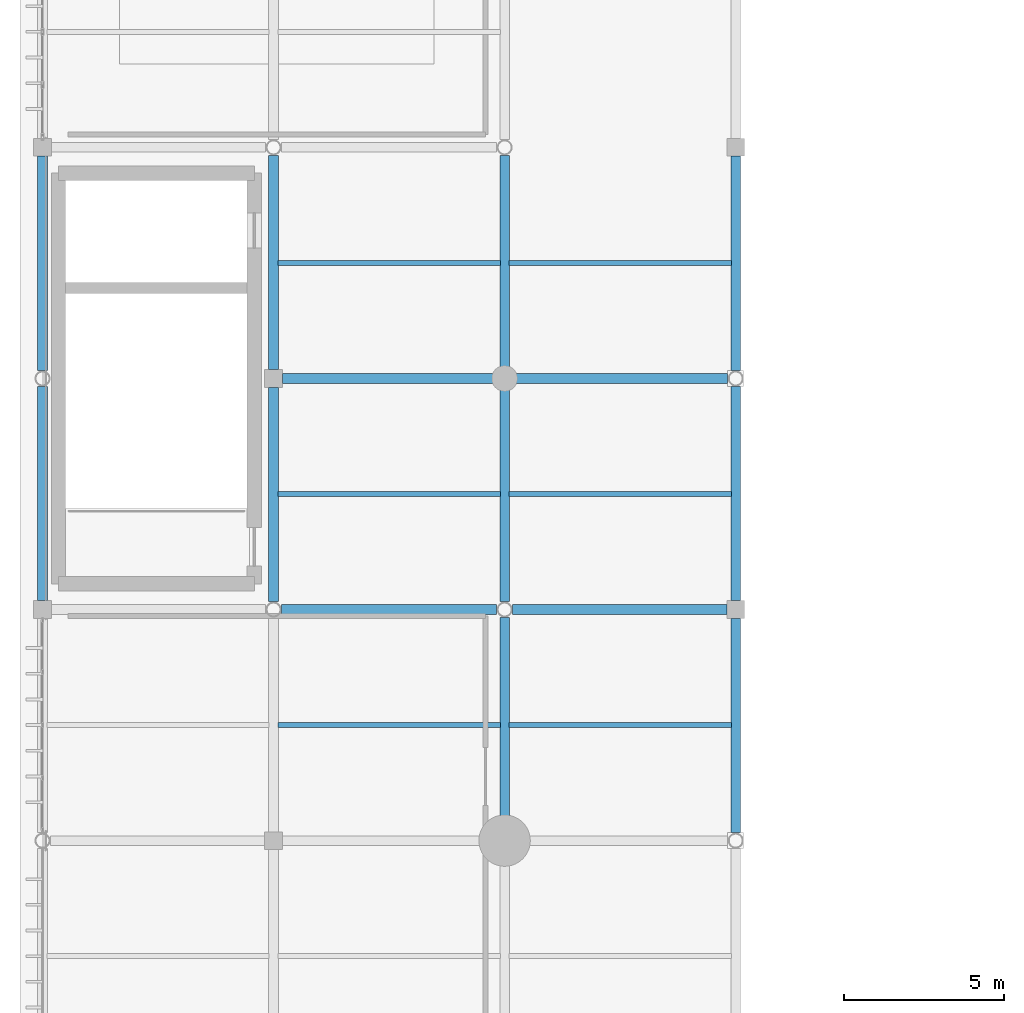
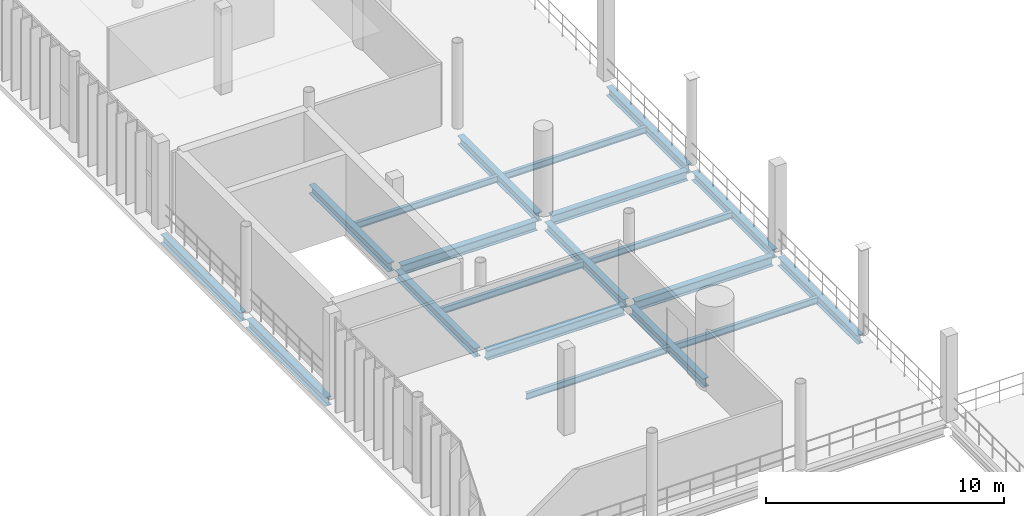
# One storey, part 23 of 81: 20 beams.
"""IFC4 building model written with IfcOpenShell, lengths in metres."""

from ifc_helpers import new_model, si_unit, direction, frame, origin, origin_2d, place, context, subcontext, project, spatial, i_section, extrude, material, material_profile, profile_set, type_object, element, save


model = new_model("IFC4")

# Units and contexts
model_context = context("Model", 3, precision=1e-05, world=origin(), true_north=direction((0.0, 1.0)))
body_context = subcontext(model_context, "Body", "Model", "MODEL_VIEW")
ifc_project = project(units=[si_unit("LENGTHUNIT", "METRE"), si_unit("AREAUNIT", "SQUARE_METRE"), si_unit("VOLUMEUNIT", "CUBIC_METRE"), si_unit("PLANEANGLEUNIT", "RADIAN"), si_unit("MASSUNIT", "GRAM", prefix="KILO")], contexts=[model_context])

# Site, building, storey
site_placement = place(None, origin())
site = spatial("IfcSite", under=ifc_project, at=site_placement, CompositionType="ELEMENT")
building_placement = place(site_placement, origin())
building = spatial("IfcBuilding", under=site, at=building_placement, Name="Qandorah Velis Arena", CompositionType="ELEMENT")
storey_placement = place(building_placement, frame((0.0, 0.0, 18.60009765625)))
storey = spatial("IfcBuildingStorey", under=building, at=storey_placement, Name="L04", CompositionType="ELEMENT", Elevation=18.60009765625)

# Beams
ifc_material = material(Name="Steel S355", Category="steel")
ifc_material_profile_1 = material_profile(ifc_material, i_section(OverallWidth=0.300048828125, OverallDepth=0.449951171875, WebThickness=0.013916015625, FlangeThickness=0.02587890625, FilletRadius=0.027099609375, at=origin_2d()), Name="HEB 450")
ifc_profile_set_1 = profile_set([ifc_material_profile_1], Name="Steel S355")
beam_type_1 = type_object("IfcBeamType", Name="STR-BM-HEB450", PredefinedType="BEAM", material=ifc_profile_set_1)
for number, where, z_axis, x_axis, name in (
    (1, (0.0, 36.27490234375, -0.4951171875), (0.0, 1.0, 0.0), (-1.0, 0.0, 0.0), "Primary floor girder L04 Y-148"),
    (2, (0.0, 43.449951171875, -0.4951171875), (0.0, 1.0, 0.0), (-1.0, 0.0, 0.0), "Primary floor girder L04 Y-149"),
    (3, (7.199951171875, 36.25, -0.4951171875), (0.0, 1.0, 0.0), (-1.0, 0.0, 0.0), "Primary floor girder L04 Y-160"),
):
    element("IfcBeam", number, at=place(storey_placement, frame(where, z_axis=z_axis, x_axis=x_axis)), inside=storey, type_object=beam_type_1, Name=name, PredefinedType="BEAM", context=body_context, shape_type="SweptSolid", body=[
        extrude(i_section(OverallWidth=0.300048828125, OverallDepth=0.449951171875, WebThickness=0.013916015625, FlangeThickness=0.02587890625, FilletRadius=0.027099609375, at=origin_2d()), origin(), (0.0, 0.0, 1.0), 6.675048828125),
    ])
beam_1_placement = place(storey_placement, frame((7.199951171875, 43.47509765625, -0.4951171875), z_axis=(0.0, 1.0, 0.0), x_axis=(-1.0, 0.0, 0.0)))
element("IfcBeam", 4, at=beam_1_placement, inside=storey, type_object=beam_type_1, Name="Primary floor girder L04 Y-161", PredefinedType="BEAM", context=body_context, shape_type="SweptSolid", body=[
    extrude(i_section(OverallWidth=0.300048828125, OverallDepth=0.449951171875, WebThickness=0.013916015625, FlangeThickness=0.02587890625, FilletRadius=0.027099609375, at=origin_2d()), origin(), (0.0, 0.0, 1.0), 6.6748046875),
])
beam_2_placement = place(storey_placement, frame((14.39990234375, 29.550048828125, -0.4951171875), z_axis=(0.0, 1.0, 0.0), x_axis=(-1.0, 0.0, 0.0)))
element("IfcBeam", 5, at=beam_2_placement, inside=storey, type_object=beam_type_1, Name="Primary floor girder L04 Y-171", PredefinedType="BEAM", context=body_context, shape_type="SweptSolid", body=[
    extrude(i_section(OverallWidth=0.300048828125, OverallDepth=0.449951171875, WebThickness=0.013916015625, FlangeThickness=0.02587890625, FilletRadius=0.027099609375, at=origin_2d()), origin(), (0.0, 0.0, 1.0), 6.199951171875),
])
beam_3_placement = place(storey_placement, frame((14.39990234375, 36.25, -0.4951171875), z_axis=(0.0, 1.0, 0.0), x_axis=(-1.0, 0.0, 0.0)))
element("IfcBeam", 6, at=beam_3_placement, inside=storey, type_object=beam_type_1, Name="Primary floor girder L04 Y-172", PredefinedType="BEAM", context=body_context, shape_type="SweptSolid", body=[
    extrude(i_section(OverallWidth=0.300048828125, OverallDepth=0.449951171875, WebThickness=0.013916015625, FlangeThickness=0.02587890625, FilletRadius=0.027099609375, at=origin_2d()), origin(), (0.0, 0.0, 1.0), 6.60009765625),
])
beam_4_placement = place(storey_placement, frame((14.39990234375, 43.550048828125, -0.4951171875), z_axis=(0.0, 1.0, 0.0), x_axis=(-1.0, 0.0, 0.0)))
element("IfcBeam", 7, at=beam_4_placement, inside=storey, type_object=beam_type_1, Name="Primary floor girder L04 Y-173", PredefinedType="BEAM", context=body_context, shape_type="SweptSolid", body=[
    extrude(i_section(OverallWidth=0.300048828125, OverallDepth=0.449951171875, WebThickness=0.013916015625, FlangeThickness=0.02587890625, FilletRadius=0.027099609375, at=origin_2d()), origin(), (0.0, 0.0, 1.0), 6.599853515625),
])
for number, where, z_axis, x_axis, name in (
    (8, (21.60009765625, 29.050048828125, -0.4951171875), (0.0, 1.0, 0.0), (-1.0, 0.0, 0.0), "Primary floor girder L04 Y-184"),
    (9, (21.60009765625, 36.27490234375, -0.4951171875), (0.0, 1.0, 0.0), (-1.0, 0.0, 0.0), "Primary floor girder L04 Y-185"),
    (10, (21.60009765625, 43.449951171875, -0.4951171875), (0.0, 1.0, 0.0), (-1.0, 0.0, 0.0), "Primary floor girder L04 Y-186"),
):
    element("IfcBeam", number, at=place(storey_placement, frame(where, z_axis=z_axis, x_axis=x_axis)), inside=storey, type_object=beam_type_1, Name=name, PredefinedType="BEAM", context=body_context, shape_type="SweptSolid", body=[
        extrude(i_section(OverallWidth=0.300048828125, OverallDepth=0.449951171875, WebThickness=0.013916015625, FlangeThickness=0.02587890625, FilletRadius=0.027099609375, at=origin_2d()), origin(), (0.0, 0.0, 1.0), 6.675048828125),
    ])
ifc_material_profile_2 = material_profile(ifc_material, i_section(OverallWidth=0.300048828125, OverallDepth=0.5, WebThickness=0.014404296875, FlangeThickness=0.028076171875, FilletRadius=0.027099609375, at=origin_2d()), Name="HEB 500")
ifc_profile_set_2 = profile_set([ifc_material_profile_2], Name="Steel S355")
beam_type_2 = type_object("IfcBeamType", Name="STR-BM-HEB500", PredefinedType="BEAM", material=ifc_profile_set_2)
beam_5_placement = place(storey_placement, frame((7.449951171875, 36.0, -0.52001953125), z_axis=(1.0, 0.0, 0.0), x_axis=(0.0, 1.0, 0.0)))
element("IfcBeam", 11, at=beam_5_placement, inside=storey, type_object=beam_type_2, Name="Primary floor girder L04 X-051", PredefinedType="BEAM", context=body_context, shape_type="SweptSolid", body=[
    extrude(i_section(OverallWidth=0.300048828125, OverallDepth=0.5, WebThickness=0.014404296875, FlangeThickness=0.028076171875, FilletRadius=0.027099609375, at=origin_2d()), origin(), (0.0, 0.0, 1.0), 6.699951171875),
])
beam_6_placement = place(storey_placement, frame((14.64990234375, 36.0, -0.52001953125), z_axis=(1.0, 0.0, 0.0), x_axis=(0.0, 1.0, 0.0)))
element("IfcBeam", 12, at=beam_6_placement, inside=storey, type_object=beam_type_2, Name="Primary floor girder L04 X-052", PredefinedType="BEAM", context=body_context, shape_type="SweptSolid", body=[
    extrude(i_section(OverallWidth=0.300048828125, OverallDepth=0.5, WebThickness=0.014404296875, FlangeThickness=0.028076171875, FilletRadius=0.027099609375, at=origin_2d()), origin(), (0.0, 0.0, 1.0), 6.675048828125),
])
beam_7_placement = place(storey_placement, frame((7.47509765625, 43.199951171875, -0.52001953125), z_axis=(1.0, 0.0, 0.0), x_axis=(0.0, 1.0, 0.0)))
element("IfcBeam", 13, at=beam_7_placement, inside=storey, type_object=beam_type_2, Name="Primary floor girder L04 X-053", PredefinedType="BEAM", context=body_context, shape_type="SweptSolid", body=[
    extrude(i_section(OverallWidth=0.300048828125, OverallDepth=0.5, WebThickness=0.014404296875, FlangeThickness=0.028076171875, FilletRadius=0.027099609375, at=origin_2d()), origin(), (0.0, 0.0, 1.0), 6.574951171875),
])
beam_8_placement = place(storey_placement, frame((14.75, 43.199951171875, -0.52001953125), z_axis=(1.0, 0.0, 0.0), x_axis=(0.0, 1.0, 0.0)))
element("IfcBeam", 14, at=beam_8_placement, inside=storey, type_object=beam_type_2, Name="Primary floor girder L04 X-054", PredefinedType="BEAM", context=body_context, shape_type="SweptSolid", body=[
    extrude(i_section(OverallWidth=0.300048828125, OverallDepth=0.5, WebThickness=0.014404296875, FlangeThickness=0.028076171875, FilletRadius=0.027099609375, at=origin_2d()), origin(), (0.0, 0.0, 1.0), 6.60009765625),
])
ifc_material_profile_3 = material_profile(ifc_material, i_section(OverallWidth=0.159912109375, OverallDepth=0.330078125, WebThickness=0.007568359375, FlangeThickness=0.011474609375, FilletRadius=0.01806640625, at=origin_2d()), Name="IPE 330")
ifc_profile_set_3 = profile_set([ifc_material_profile_3], Name="Steel S355")
beam_type_3 = type_object("IfcBeamType", Name="STR-JST-IPE330", PredefinedType="JOIST", material=ifc_profile_set_3)
for number, where, z_axis, x_axis, name in (
    (15, (7.3349609375, 32.39990234375, -0.43505859375), (1.0, 0.0, 0.0), (0.0, 1.0, 0.0), "Secondary floor joist L04-010"),
    (16, (7.3349609375, 39.60009765625, -0.43505859375), (1.0, 0.0, 0.0), (0.0, 1.0, 0.0), "Secondary floor joist L04-011"),
    (17, (7.3349609375, 46.800048828125, -0.43505859375), (1.0, 0.0, 0.0), (0.0, 1.0, 0.0), "Secondary floor joist L04-012"),
):
    element("IfcBeam", number, at=place(storey_placement, frame(where, z_axis=z_axis, x_axis=x_axis)), inside=storey, type_object=beam_type_3, Name=name, PredefinedType="JOIST", context=body_context, shape_type="SweptSolid", body=[
        extrude(i_section(OverallWidth=0.159912109375, OverallDepth=0.330078125, WebThickness=0.007568359375, FlangeThickness=0.011474609375, FilletRadius=0.01806640625, at=origin_2d()), origin(), (0.0, 0.0, 1.0), 6.929931640625),
    ])
for number, where, z_axis, x_axis, name in (
    (18, (14.534912109375, 32.39990234375, -0.43505859375), (1.0, 0.0, 0.0), (0.0, 1.0, 0.0), "Secondary floor joist L04-022"),
    (19, (14.534912109375, 39.60009765625, -0.43505859375), (1.0, 0.0, 0.0), (0.0, 1.0, 0.0), "Secondary floor joist L04-023"),
    (20, (14.534912109375, 46.800048828125, -0.43505859375), (1.0, 0.0, 0.0), (0.0, 1.0, 0.0), "Secondary floor joist L04-024"),
):
    element("IfcBeam", number, at=place(storey_placement, frame(where, z_axis=z_axis, x_axis=x_axis)), inside=storey, type_object=beam_type_3, Name=name, PredefinedType="JOIST", context=body_context, shape_type="SweptSolid", body=[
        extrude(i_section(OverallWidth=0.159912109375, OverallDepth=0.330078125, WebThickness=0.007568359375, FlangeThickness=0.011474609375, FilletRadius=0.01806640625, at=origin_2d()), origin(), (0.0, 0.0, 1.0), 6.93017578125),
    ])

save(model, "model.ifc")
